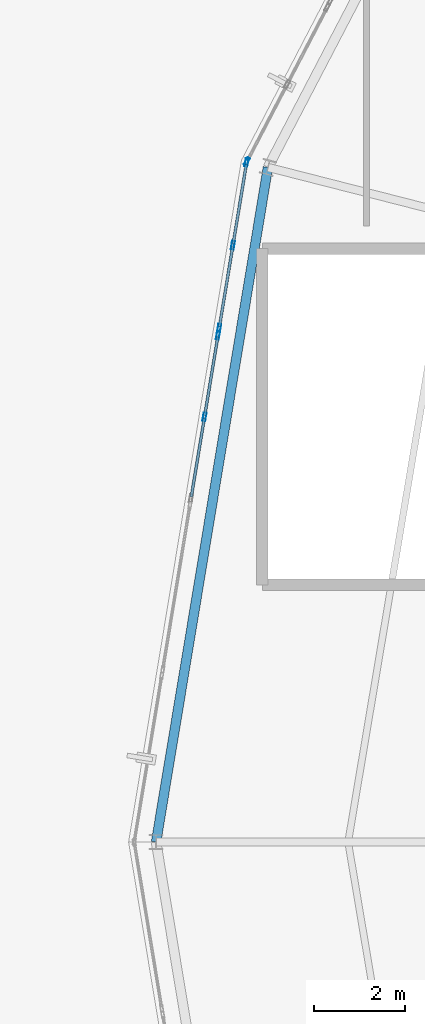
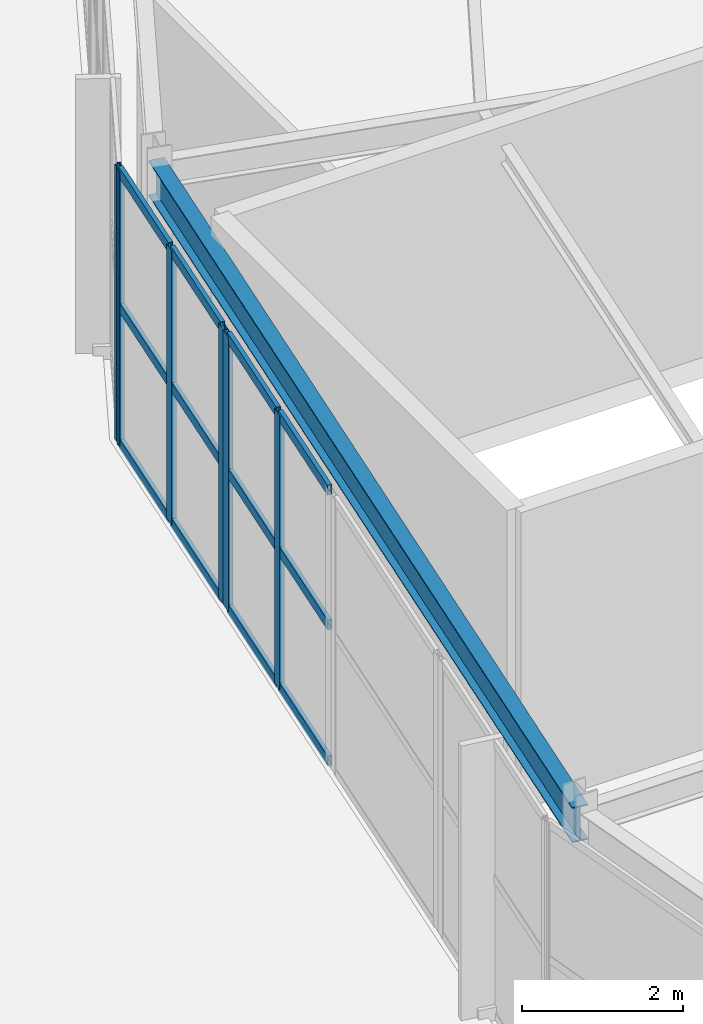
# One storey, part 51 of 126: 18 members, 1 beam, 3 elements without a shape of their own.
"""IFC4 building model written with IfcOpenShell, lengths in metres."""

from ifc_helpers import new_model, si_unit, direction, frame, origin, origin_2d, place, context, subcontext, project, spatial, hollow_rectangle, i_section, extrude, material, layer, layer_set, material_profile, profile_set, type_object, element, aggregate, save


model = new_model("IFC4")

# Units and contexts
model_context = context("Model", 3, precision=1e-05, world=origin(), true_north=direction((0.0, 1.0)))
body_context = subcontext(model_context, "Body", "Model", "MODEL_VIEW")
ifc_project = project(units=[si_unit("LENGTHUNIT", "METRE"), si_unit("AREAUNIT", "SQUARE_METRE"), si_unit("VOLUMEUNIT", "CUBIC_METRE"), si_unit("PLANEANGLEUNIT", "RADIAN"), si_unit("MASSUNIT", "GRAM", prefix="KILO")], contexts=[model_context])

# Site, building, storey
site_placement = place(None, origin())
site = spatial("IfcSite", under=ifc_project, at=site_placement, CompositionType="ELEMENT")
building_placement = place(site_placement, origin())
building = spatial("IfcBuilding", under=site, at=building_placement, Name="Kalgoora Escarpment Arena", CompositionType="ELEMENT")
storey_placement = place(building_placement, frame((0.0, 0.0, 18.89990234375)))
storey = spatial("IfcBuildingStorey", under=building, at=storey_placement, Name="L04", CompositionType="ELEMENT", Elevation=18.89990234375)

# Beam
ifc_material_1 = material(Name="Structural steel AS/NZS 3679 (300 MPa)", Category="steel")
ifc_material_profile_1 = material_profile(ifc_material_1, i_section(OverallWidth=0.208984375, OverallDepth=0.532958984375, WebThickness=0.01025390625, FlangeThickness=0.015625, at=origin_2d()))
ifc_profile_set_1 = profile_set([ifc_material_profile_1], Name="Structural steel AS/NZS 3679 (300 MPa)")
beam_type = type_object("IfcBeamType", Name="BM-SPANDREL-530UB92.4", PredefinedType="SPANDREL", material=ifc_profile_set_1)
beam_placement = place(storey_placement, frame((23.04638671875, 78.752685546875, 3.943603515625), z_axis=(-0.163586163215, -0.98652905036, 0.0), x_axis=(0.98652905036, -0.163586163215, 0.0)))
element("IfcBeam", 1, at=beam_placement, inside=storey, type_object=beam_type, Name="L04 Circumferential concourse girder RCONC2 530UB92.4", PredefinedType="SPANDREL", context=body_context, shape_type="SweptSolid", body=[
    extrude(i_section(OverallWidth=0.208984375, OverallDepth=0.532958984375, WebThickness=0.01025390625, FlangeThickness=0.015625, at=origin_2d()), origin(), (0.0, 0.0, 1.0), 14.9541015625),
])

# Curtain wall, members
ifc_material_2 = material(Name=" Champagne anodised aluminium & double-glazed low-E", Category="aluminium")
ifc_layer_1 = layer(ifc_material_2, 0.154052734375)
ifc_layer_set_1 = layer_set([ifc_layer_1], Name="CW-UNIT-01")
curtain_wall_type_1 = type_object("IfcCurtainWallType", Name="CW-UNIT-01", PredefinedType="NOTDEFINED", material=ifc_layer_set_1)
curtain_wall_1_placement = place(storey_placement, origin())
curtain_wall_1 = element("IfcCurtainWall", 2, at=curtain_wall_1_placement, inside=storey, type_object=curtain_wall_type_1, Name="L04 unitised facade curtain wall 140", PredefinedType="NOTDEFINED")
ifc_material_3 = material(Name="Anodised aluminium 6063-T6", Category="aluminium")
ifc_material_profile_2 = material_profile(ifc_material_3, hollow_rectangle(XDim=0.06494140625, YDim=0.179931640625, WallThickness=0.00390625, at=origin_2d()))
ifc_profile_set_2 = profile_set([ifc_material_profile_2], Name="Anodised aluminium 6063-T6")
member_type_1 = type_object("IfcMemberType", Name="MEM-CW-MULL-180", PredefinedType="MULLION", material=ifc_profile_set_2)
member_1_placement = place(storey_placement, frame((21.660400390625, 73.2978515625, 0.02001953125), z_axis=(0.0, 0.0, 1.0), x_axis=(-0.986584326831, 0.163252461087, 0.0)))
member_1 = element("IfcMember", 3, at=member_1_placement, type_object=member_type_1, Name="CW-01 mullion 2", PredefinedType="MULLION", context=body_context, shape_type="SweptSolid", body=[
    extrude(hollow_rectangle(XDim=0.06494140625, YDim=0.179931640625, WallThickness=0.00390625, at=origin_2d()), origin(), (0.0, 0.0, 1.0), 4.16015625),
])
member_2_placement = place(storey_placement, frame((21.955078125, 75.080078125, 0.02001953125), z_axis=(0.0, 0.0, 1.0), x_axis=(-0.986584326831, 0.163252461087, 0.0)))
member_2 = element("IfcMember", 4, at=member_2_placement, type_object=member_type_1, Name="CW-01 mullion 3", PredefinedType="MULLION", context=body_context, shape_type="SweptSolid", body=[
    extrude(hollow_rectangle(XDim=0.06494140625, YDim=0.179931640625, WallThickness=0.00390625, at=origin_2d()), origin(), (0.0, 0.0, 1.0), 4.16015625),
])

ifc_material_4 = material(Name=" Champagne anodised aluminium & double-glazed low-E", Category="aluminium")
ifc_layer_2 = layer(ifc_material_4, 0.157958984375)
ifc_layer_set_2 = layer_set([ifc_layer_2], Name="CW-UNIT-02")
curtain_wall_type_2 = type_object("IfcCurtainWallType", Name="CW-UNIT-02", PredefinedType="NOTDEFINED", material=ifc_layer_set_2)
curtain_wall_2_placement = place(storey_placement, origin())
curtain_wall_2 = element("IfcCurtainWall", 5, at=curtain_wall_2_placement, inside=storey, type_object=curtain_wall_type_2, Name="L04 unitised facade curtain wall 141", PredefinedType="NOTDEFINED")
member_3_placement = place(storey_placement, frame((21.982177734375, 75.24267578125, 0.02001953125), z_axis=(0.0, 0.0, 1.0), x_axis=(-0.986582502951, 0.163263482966, 0.0)))
member_3 = element("IfcMember", 6, at=member_3_placement, type_object=member_type_1, Name="CW-02 mullion 1", PredefinedType="MULLION", context=body_context, shape_type="SweptSolid", body=[
    extrude(hollow_rectangle(XDim=0.06494140625, YDim=0.179931640625, WallThickness=0.00390625, at=origin_2d()), origin(), (0.0, 0.0, 1.0), 4.16015625),
])
member_4_placement = place(storey_placement, frame((22.281005859375, 77.049560546875, 0.02001953125), z_axis=(0.0, 0.0, 1.0), x_axis=(-0.986582502951, 0.163263482966, 0.0)))
member_4 = element("IfcMember", 7, at=member_4_placement, type_object=member_type_1, Name="CW-02 mullion 2", PredefinedType="MULLION", context=body_context, shape_type="SweptSolid", body=[
    extrude(hollow_rectangle(XDim=0.06494140625, YDim=0.179931640625, WallThickness=0.00390625, at=origin_2d()), origin(), (0.0, 0.0, 1.0), 4.16015625),
])
member_5_placement = place(storey_placement, frame((22.580078125, 78.8564453125, 0.02001953125), z_axis=(0.0, 0.0, 1.0), x_axis=(-0.986582502951, 0.163263482966, 0.0)))
member_5 = element("IfcMember", 8, at=member_5_placement, type_object=member_type_1, Name="CW-02 mullion 3", PredefinedType="MULLION", context=body_context, shape_type="SweptSolid", body=[
    extrude(hollow_rectangle(XDim=0.06494140625, YDim=0.179931640625, WallThickness=0.00390625, at=origin_2d()), origin(), (0.0, 0.0, 1.0), 4.16015625),
])

# Curtain wall, member
ifc_material_5 = material(Name=" Champagne anodised aluminium & double-glazed low-E", Category="aluminium")
ifc_layer_3 = layer(ifc_material_5, 0.162109375)
ifc_layer_set_3 = layer_set([ifc_layer_3], Name="CW-UNIT-03")
curtain_wall_type_3 = type_object("IfcCurtainWallType", Name="CW-UNIT-03", PredefinedType="NOTDEFINED", material=ifc_layer_set_3)
curtain_wall_3_placement = place(storey_placement, origin())
curtain_wall_3 = element("IfcCurtainWall", 9, at=curtain_wall_3_placement, inside=storey, type_object=curtain_wall_type_3, Name="L04 unitised facade curtain wall 142", PredefinedType="NOTDEFINED")
member_6_placement = place(storey_placement, frame((22.58837890625, 78.88134765625, 0.02001953125), z_axis=(0.0, 0.0, 1.0), x_axis=(-0.886980759432, 0.461806379771, 0.0)))
member_6 = element("IfcMember", 10, at=member_6_placement, type_object=member_type_1, Name="CW-03 mullion 1", PredefinedType="MULLION", context=body_context, shape_type="SweptSolid", body=[
    extrude(hollow_rectangle(XDim=0.06494140625, YDim=0.179931640625, WallThickness=0.00390625, at=origin_2d()), origin(), (0.0, 0.0, 1.0), 4.16015625),
])
aggregate(curtain_wall_3, [member_6])

# Member
ifc_material_6 = material(Name="Anodised aluminium 6063-T6", Category="aluminium")
ifc_material_profile_3 = material_profile(ifc_material_6, hollow_rectangle(XDim=0.06005859375, YDim=0.14990234375, WallThickness=0.00341796875, at=origin_2d()))
ifc_profile_set_3 = profile_set([ifc_material_profile_3], Name="Anodised aluminium 6063-T6")
member_type_2 = type_object("IfcMemberType", Name="MEM-CW-TRAN-150", PredefinedType="USERDEFINED", material=ifc_profile_set_3)
member_7_placement = place(storey_placement, frame((21.37060546875, 71.5478515625, 0.050048828125), z_axis=(0.163330356787, 0.986571434085, 0.0), x_axis=(-0.986571434085, 0.163330356787, 0.0)))
member_7 = element("IfcMember", 11, at=member_7_placement, type_object=member_type_2, Name="CW-01 transom 1.1", ObjectType="TRANSOM", PredefinedType="USERDEFINED", context=body_context, shape_type="SweptSolid", body=[
    extrude(hollow_rectangle(XDim=0.06005859375, YDim=0.14990234375, WallThickness=0.00341796875, at=origin_2d()), origin(), (0.0, 0.0, 1.0), 1.741455078125),
])

member_8_placement = place(storey_placement, frame((21.37060546875, 71.5478515625, 2.110107421875), z_axis=(0.163330356787, 0.986571434085, 0.0), x_axis=(-0.986571434085, 0.163330356787, 0.0)))
member_8 = element("IfcMember", 12, at=member_8_placement, type_object=member_type_2, Name="CW-01 transom 1.2", ObjectType="TRANSOM", PredefinedType="USERDEFINED", context=body_context, shape_type="SweptSolid", body=[
    extrude(hollow_rectangle(XDim=0.06005859375, YDim=0.14990234375, WallThickness=0.00341796875, at=origin_2d()), origin(), (0.0, 0.0, 1.0), 1.741455078125),
])

member_9_placement = place(storey_placement, frame((21.37060546875, 71.5478515625, 4.150146484375), z_axis=(0.163330356787, 0.986571434085, 0.0), x_axis=(-0.986571434085, 0.163330356787, 0.0)))
member_9 = element("IfcMember", 13, at=member_9_placement, type_object=member_type_2, Name="CW-01 transom 1.3", ObjectType="TRANSOM", PredefinedType="USERDEFINED", context=body_context, shape_type="SweptSolid", body=[
    extrude(hollow_rectangle(XDim=0.06005859375, YDim=0.14990234375, WallThickness=0.00341796875, at=origin_2d()), origin(), (0.0, 0.0, 1.0), 1.741455078125),
])

member_10_placement = place(storey_placement, frame((21.66552734375, 73.330078125, 0.050048828125), z_axis=(0.16335295092, 0.986567693281, 0.0), x_axis=(-0.986567693281, 0.16335295092, 0.0)))
member_10 = element("IfcMember", 14, at=member_10_placement, type_object=member_type_2, Name="CW-01 transom 2.1", ObjectType="TRANSOM", PredefinedType="USERDEFINED", context=body_context, shape_type="SweptSolid", body=[
    extrude(hollow_rectangle(XDim=0.06005859375, YDim=0.14990234375, WallThickness=0.00341796875, at=origin_2d()), origin(), (0.0, 0.0, 1.0), 1.7412109375),
])

member_11_placement = place(storey_placement, frame((21.66552734375, 73.330078125, 2.110107421875), z_axis=(0.16335295092, 0.986567693281, 0.0), x_axis=(-0.986567693281, 0.16335295092, 0.0)))
member_11 = element("IfcMember", 15, at=member_11_placement, type_object=member_type_2, Name="CW-01 transom 2.2", ObjectType="TRANSOM", PredefinedType="USERDEFINED", context=body_context, shape_type="SweptSolid", body=[
    extrude(hollow_rectangle(XDim=0.06005859375, YDim=0.14990234375, WallThickness=0.00341796875, at=origin_2d()), origin(), (0.0, 0.0, 1.0), 1.7412109375),
])

member_12_placement = place(storey_placement, frame((21.66552734375, 73.330078125, 4.150146484375), z_axis=(0.16335295092, 0.986567693281, 0.0), x_axis=(-0.986567693281, 0.16335295092, 0.0)))
member_12 = element("IfcMember", 16, at=member_12_placement, type_object=member_type_2, Name="CW-01 transom 2.3", ObjectType="TRANSOM", PredefinedType="USERDEFINED", context=body_context, shape_type="SweptSolid", body=[
    extrude(hollow_rectangle(XDim=0.06005859375, YDim=0.14990234375, WallThickness=0.00341796875, at=origin_2d()), origin(), (0.0, 0.0, 1.0), 1.7412109375),
])

aggregate(curtain_wall_1, [member_1, member_2, member_7, member_8, member_9, member_10, member_11, member_12])

member_13_placement = place(storey_placement, frame((21.9873046875, 75.27490234375, 0.050048828125), z_axis=(0.163367902373, 0.986565217547, 0.0), x_axis=(-0.986565217547, 0.163367902373, 0.0)))
member_13 = element("IfcMember", 17, at=member_13_placement, type_object=member_type_2, Name="CW-02 transom 1.1", ObjectType="TRANSOM", PredefinedType="USERDEFINED", context=body_context, shape_type="SweptSolid", body=[
    extrude(hollow_rectangle(XDim=0.06005859375, YDim=0.14990234375, WallThickness=0.00341796875, at=origin_2d()), origin(), (0.0, 0.0, 1.0), 1.766357421875),
])

member_14_placement = place(storey_placement, frame((21.9873046875, 75.27490234375, 2.110107421875), z_axis=(0.163367902373, 0.986565217547, 0.0), x_axis=(-0.986565217547, 0.163367902373, 0.0)))
member_14 = element("IfcMember", 18, at=member_14_placement, type_object=member_type_2, Name="CW-02 transom 1.2", ObjectType="TRANSOM", PredefinedType="USERDEFINED", context=body_context, shape_type="SweptSolid", body=[
    extrude(hollow_rectangle(XDim=0.06005859375, YDim=0.14990234375, WallThickness=0.00341796875, at=origin_2d()), origin(), (0.0, 0.0, 1.0), 1.766357421875),
])

member_15_placement = place(storey_placement, frame((21.9873046875, 75.27490234375, 4.150146484375), z_axis=(0.163367902373, 0.986565217547, 0.0), x_axis=(-0.986565217547, 0.163367902373, 0.0)))
member_15 = element("IfcMember", 19, at=member_15_placement, type_object=member_type_2, Name="CW-02 transom 1.3", ObjectType="TRANSOM", PredefinedType="USERDEFINED", context=body_context, shape_type="SweptSolid", body=[
    extrude(hollow_rectangle(XDim=0.06005859375, YDim=0.14990234375, WallThickness=0.00341796875, at=origin_2d()), origin(), (0.0, 0.0, 1.0), 1.766357421875),
])

member_16_placement = place(storey_placement, frame((22.286376953125, 77.08154296875, 0.050048828125), z_axis=(0.163233373483, 0.986587485113, 0.0), x_axis=(-0.986587485113, 0.163233373483, 0.0)))
member_16 = element("IfcMember", 20, at=member_16_placement, type_object=member_type_2, Name="CW-02 transom 2.1", ObjectType="TRANSOM", PredefinedType="USERDEFINED", context=body_context, shape_type="SweptSolid", body=[
    extrude(hollow_rectangle(XDim=0.06005859375, YDim=0.14990234375, WallThickness=0.00341796875, at=origin_2d()), origin(), (0.0, 0.0, 1.0), 1.766357421875),
])

member_17_placement = place(storey_placement, frame((22.286376953125, 77.08154296875, 2.110107421875), z_axis=(0.163233373483, 0.986587485113, 0.0), x_axis=(-0.986587485113, 0.163233373483, 0.0)))
member_17 = element("IfcMember", 21, at=member_17_placement, type_object=member_type_2, Name="CW-02 transom 2.2", ObjectType="TRANSOM", PredefinedType="USERDEFINED", context=body_context, shape_type="SweptSolid", body=[
    extrude(hollow_rectangle(XDim=0.06005859375, YDim=0.14990234375, WallThickness=0.00341796875, at=origin_2d()), origin(), (0.0, 0.0, 1.0), 1.766357421875),
])

member_18_placement = place(storey_placement, frame((22.286376953125, 77.08154296875, 4.150146484375), z_axis=(0.163233373483, 0.986587485113, 0.0), x_axis=(-0.986587485113, 0.163233373483, 0.0)))
member_18 = element("IfcMember", 22, at=member_18_placement, type_object=member_type_2, Name="CW-02 transom 2.3", ObjectType="TRANSOM", PredefinedType="USERDEFINED", context=body_context, shape_type="SweptSolid", body=[
    extrude(hollow_rectangle(XDim=0.06005859375, YDim=0.14990234375, WallThickness=0.00341796875, at=origin_2d()), origin(), (0.0, 0.0, 1.0), 1.766357421875),
])

aggregate(curtain_wall_2, [member_3, member_4, member_5, member_13, member_14, member_15, member_16, member_17, member_18])

save(model, "model.ifc")
